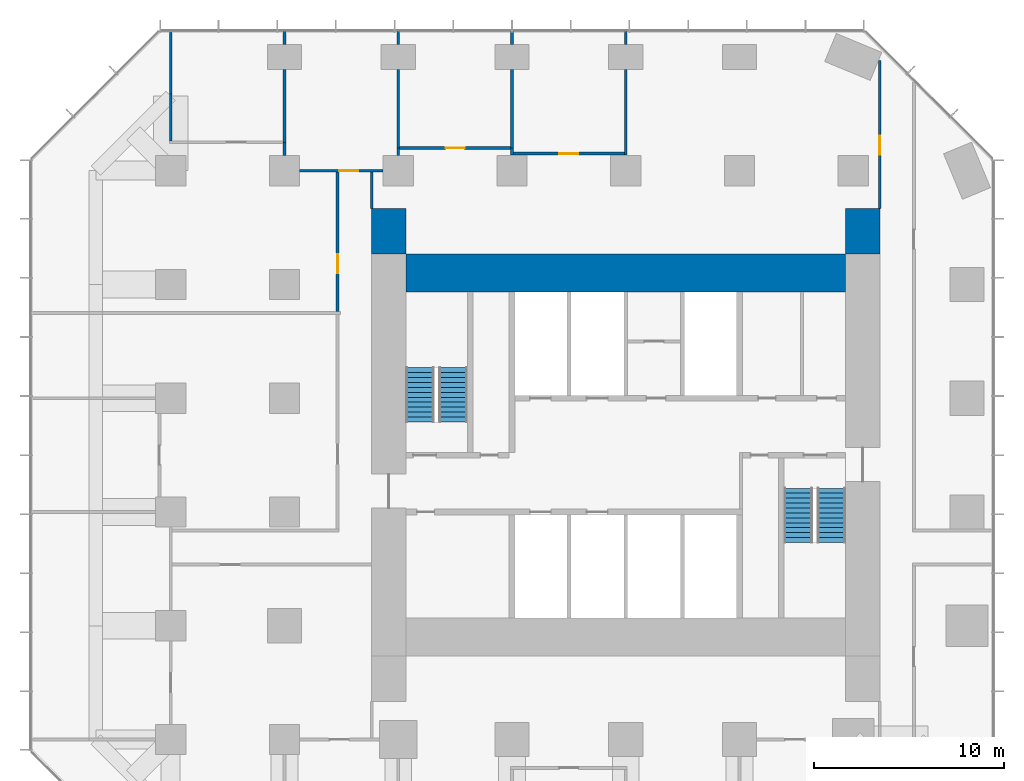
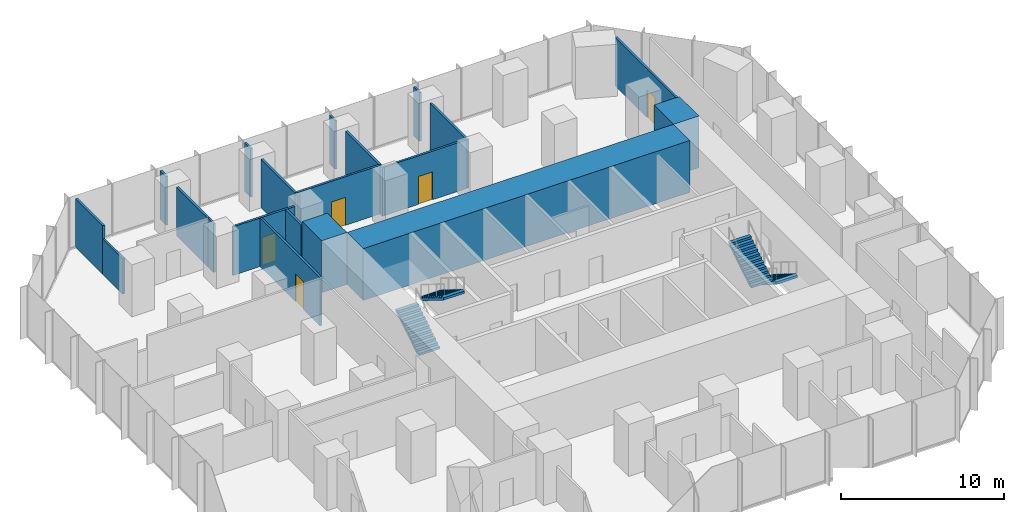
# One storey, part 10 of 11: 22 walls, 5 doors, 4 stair flights, 5 openings, 2 elements without a shape of their own.
"""IFC4 building model written with IfcOpenShell, lengths in metres."""

from ifc_helpers import new_model, si_unit, direction, frame, frame_2d, origin, place, context, subcontext, project, spatial, polyline, rectangle, outline, extrude, material, layer, layer_set, type_object, element, fill, aggregate, save


model = new_model("IFC4")

# Units and contexts
model_context = context("Model", 3, precision=1e-05, world=origin(), true_north=direction((0.0, 1.0)))
body_context = subcontext(model_context, "Body", "Model", "MODEL_VIEW")
ifc_project = project(units=[si_unit("LENGTHUNIT", "METRE"), si_unit("AREAUNIT", "SQUARE_METRE"), si_unit("VOLUMEUNIT", "CUBIC_METRE"), si_unit("PLANEANGLEUNIT", "RADIAN"), si_unit("MASSUNIT", "GRAM", prefix="KILO")], contexts=[model_context])

# Site, building, storey
site_placement = place(None, origin())
site = spatial("IfcSite", under=ifc_project, at=site_placement, CompositionType="ELEMENT")
building_placement = place(site_placement, origin())
building = spatial("IfcBuilding", under=site, at=building_placement, Name="Highveld Stack Headquarters", CompositionType="ELEMENT")
storey_placement = place(building_placement, frame((0.0, 0.0, 128.89990234375)))
storey = spatial("IfcBuildingStorey", under=building, at=storey_placement, Name="L31", CompositionType="ELEMENT", Elevation=128.89990234375)

# Walls
ifc_material_1 = material(Name="Concrete C60/75", Category="concrete")
ifc_layer_1 = layer(ifc_material_1, 2.0)
ifc_layer_set_1 = layer_set([ifc_layer_1], Name="Concrete C60/75")
wall_type_1 = type_object("IfcWallType", Name="CORE WALL 2000 C60/75", PredefinedType="SHEAR", material=ifc_layer_set_1)
wall_1_placement = place(storey_placement, frame((-5.60009765625, 12.60009765625, 0.0), z_axis=(0.0, 0.0, 1.0), x_axis=(1.0, 0.0, 0.0)))
element("IfcWall", 1, at=wall_1_placement, inside=storey, type_object=wall_type_1, Name="Core wall N L31", PredefinedType="SHEAR", context=body_context, shape_type="SweptSolid", body=[
    extrude(rectangle(XDim=23.2001953125, YDim=2.0, at=frame_2d((11.60009765625, 0.0))), origin(), (0.0, 0.0, 1.0), 3.900146484375),
])
ifc_material_2 = material(Name="Concrete C60/75", Category="concrete")
ifc_layer_2 = layer(ifc_material_2, 1.800048828125)
ifc_layer_set_2 = layer_set([ifc_layer_2], Name="Concrete C60/75")
wall_type_2 = type_object("IfcWallType", Name="CORE WING WALL 1800 C60/75", PredefinedType="SHEAR", material=ifc_layer_set_2)
for number, where, z_axis, x_axis, name in (
    (2, (-6.5, 13.60009765625, 0.0), (0.0, 0.0, 1.0), (0.0, 1.0, 0.0), "Core wing wall WN L31"),
    (3, (18.5, 13.60009765625, 0.0), (0.0, 0.0, 1.0), (0.0, 1.0, 0.0), "Core wing wall EN L31"),
):
    element("IfcWall", number, at=place(storey_placement, frame(where, z_axis=z_axis, x_axis=x_axis)), inside=storey, type_object=wall_type_2, Name=name, PredefinedType="SHEAR", context=body_context, shape_type="SweptSolid", body=[
        extrude(rectangle(XDim=2.39990234375, YDim=1.800048828125, at=frame_2d((1.199951171875, 0.0))), origin(), (0.0, 0.0, 1.0), 3.900146484375),
    ])

# Wall, opening, door
ifc_material_3 = material(Name="Gypsum plasterboard on steel studs", Category="steel")
ifc_layer_3 = layer(ifc_material_3, 0.14990234375)
ifc_layer_set_3 = layer_set([ifc_layer_3], Name="Gypsum plasterboard on steel studs")
wall_type_3 = type_object("IfcWallType", Name="PARTITION 150 PLASTERBOARD", PredefinedType="PARTITIONING", material=ifc_layer_set_3)
wall_2_placement = place(storey_placement, frame((-11.199951171875, 18.0, 0.0), z_axis=(0.0, 0.0, 1.0), x_axis=(1.0, 0.0, 0.0)))
wall_2 = element("IfcWall", 4, at=wall_2_placement, inside=storey, type_object=wall_type_3, Name="Partition Office L31", PredefinedType="PARTITIONING", context=body_context, shape_type="SweptSolid", body=[
    extrude(rectangle(XDim=4.39990234375, YDim=0.14990234375, at=frame_2d((2.199951171875, 0.0))), origin(), (0.0, 0.0, 1.0), 3.650146484375),
])
opening_1_placement = place(wall_2_placement, frame((2.10009765625, 0.0, 0.0)))
opening_1 = element("IfcOpeningElement", 5, at=opening_1_placement, cuts=wall_2, Name="Opening L31-18", PredefinedType="OPENING", context=body_context, shape_type="SweptSolid", body=[
    extrude(rectangle(XDim=1.0, YDim=2.10009765625, at=frame_2d((0.5, 1.050048828125))), frame((0.0, 0.0849609375, 0.0), z_axis=(0.0, -1.0, 0.0), x_axis=(1.0, 0.0, 0.0)), (0.0, 0.0, 1.0), 0.169921875),
])
ifc_material_4 = material(Name="Timber door, oiled ash", Category="wood")
door_type = type_object("IfcDoorType", Name="ROOM DOOR D6 1000x2100", OperationType="SINGLE_SWING_LEFT", PredefinedType="DOOR", material=ifc_material_4)
door_1_placement = place(opening_1_placement, origin())
door_1 = element("IfcDoor", 6, at=door_1_placement, inside=storey, type_object=door_type, Name="Office door 1 L31", OperationType="SINGLE_SWING_RIGHT", OverallHeight=2.10009765625, OverallWidth=1.0, PredefinedType="DOOR", context=body_context, shape_type="SweptSolid", body=[
    extrude(rectangle(XDim=1.0, YDim=2.10009765625, at=frame_2d((0.5, 1.050048828125))), frame((0.0, 0.02490234375, 0.0), z_axis=(0.0, -1.0, 0.0), x_axis=(1.0, 0.0, 0.0)), (0.0, 0.0, 1.0), 0.050048828125),
])
fill(opening_1, door_1)

wall_3_placement = place(storey_placement, frame((0.074951171875, 18.89990234375, 0.0), z_axis=(0.0, 0.0, 1.0), x_axis=(1.0, 0.0, 0.0)))
wall_3 = element("IfcWall", 7, at=wall_3_placement, inside=storey, type_object=wall_type_3, Name="Partition Interview room L31", PredefinedType="PARTITIONING", context=body_context, shape_type="SweptSolid", body=[
    extrude(rectangle(XDim=5.85009765625, YDim=0.14990234375, at=frame_2d((2.925048828125, 0.0))), origin(), (0.0, 0.0, 1.0), 3.650146484375),
])
opening_2_placement = place(wall_3_placement, frame((2.425048828125, 0.0, 0.0)))
opening_2 = element("IfcOpeningElement", 8, at=opening_2_placement, cuts=wall_3, Name="Opening L31-20", PredefinedType="OPENING", context=body_context, shape_type="SweptSolid", body=[
    extrude(rectangle(XDim=1.0, YDim=2.10009765625, at=frame_2d((0.5, 1.050048828125))), frame((0.0, 0.0849609375, 0.0), z_axis=(0.0, -1.0, 0.0), x_axis=(1.0, 0.0, 0.0)), (0.0, 0.0, 1.0), 0.169921875),
])
door_2_placement = place(opening_2_placement, origin())
door_2 = element("IfcDoor", 9, at=door_2_placement, inside=storey, type_object=door_type, Name="Interview room door 1 L31", OperationType="SINGLE_SWING_LEFT", OverallHeight=2.10009765625, OverallWidth=1.0, PredefinedType="DOOR", context=body_context, shape_type="SweptSolid", body=[
    extrude(rectangle(XDim=1.0, YDim=2.10009765625, at=frame_2d((0.5, 1.050048828125))), frame((0.0, 0.02490234375, 0.0), z_axis=(0.0, -1.0, 0.0), x_axis=(1.0, 0.0, 0.0)), (0.0, 0.0, 1.0), 0.050048828125),
])
fill(opening_2, door_2)

wall_4_placement = place(storey_placement, frame((-5.925048828125, 19.199951171875, 0.0), z_axis=(0.0, 0.0, 1.0), x_axis=(1.0, 0.0, 0.0)))
wall_4 = element("IfcWall", 10, at=wall_4_placement, inside=storey, type_object=wall_type_3, Name="Partition Tea kitchen L31", PredefinedType="PARTITIONING", context=body_context, shape_type="SweptSolid", body=[
    extrude(rectangle(XDim=5.85009765625, YDim=0.14990234375, at=frame_2d((2.925048828125, 0.0))), origin(), (0.0, 0.0, 1.0), 3.650146484375),
])
opening_3_placement = place(wall_4_placement, frame((2.425048828125, 0.0, 0.0)))
opening_3 = element("IfcOpeningElement", 11, at=opening_3_placement, cuts=wall_4, Name="Opening L31-19", PredefinedType="OPENING", context=body_context, shape_type="SweptSolid", body=[
    extrude(rectangle(XDim=1.0, YDim=2.10009765625, at=frame_2d((0.5, 1.050048828125))), frame((0.0, 0.0849609375, 0.0), z_axis=(0.0, -1.0, 0.0), x_axis=(1.0, 0.0, 0.0)), (0.0, 0.0, 1.0), 0.169921875),
])
door_3_placement = place(opening_3_placement, origin())
door_3 = element("IfcDoor", 12, at=door_3_placement, inside=storey, type_object=door_type, Name="Tea kitchen door 1 L31", OperationType="SINGLE_SWING_LEFT", OverallHeight=2.10009765625, OverallWidth=1.0, PredefinedType="DOOR", context=body_context, shape_type="SweptSolid", body=[
    extrude(rectangle(XDim=1.0, YDim=2.10009765625, at=frame_2d((0.5, 1.050048828125))), frame((0.0, 0.02490234375, 0.0), z_axis=(0.0, -1.0, 0.0), x_axis=(1.0, 0.0, 0.0)), (0.0, 0.0, 1.0), 0.050048828125),
])
fill(opening_3, door_3)

# Walls
wall_5_placement = place(storey_placement, frame((-18.0, 19.574951171875, 0.0), z_axis=(0.0, 0.0, 1.0), x_axis=(0.0, 1.0, 0.0)))
element("IfcWall", 13, at=wall_5_placement, inside=storey, type_object=wall_type_3, Name="Partition Quiet room L31", PredefinedType="PARTITIONING", context=body_context, shape_type="SweptSolid", body=[
    extrude(rectangle(XDim=2.469970703125, YDim=0.14990234375, at=frame_2d((1.23486328125, 0.0))), origin(), (0.0, 0.0, 1.0), 2.650146484375),
])
wall_6_placement = place(storey_placement, frame((-18.0, 22.044921875, 0.0), z_axis=(0.0, 0.0, 1.0), x_axis=(0.0, 1.0, 0.0)))
element("IfcWall", 14, at=wall_6_placement, inside=storey, type_object=wall_type_3, Name="Partition Quiet room L31", PredefinedType="PARTITIONING", context=body_context, shape_type="SweptSolid", body=[
    extrude(rectangle(XDim=3.35498046875, YDim=0.14990234375, at=frame_2d((1.677490234375, 0.0))), origin(), (0.0, 0.0, 1.0), 3.650146484375),
])
wall_7_placement = place(storey_placement, frame((-12.0, 18.800048828125, 0.0), z_axis=(0.0, 0.0, 1.0), x_axis=(0.0, 1.0, 0.0)))
element("IfcWall", 15, at=wall_7_placement, inside=storey, type_object=wall_type_3, Name="Partition Office L31", PredefinedType="PARTITIONING", context=body_context, shape_type="SweptSolid", body=[
    extrude(rectangle(XDim=0.699951171875, YDim=0.14990234375, at=frame_2d((0.35009765625, 0.0))), origin(), (0.0, 0.0, 1.0), 3.650146484375),
])
wall_8_placement = place(storey_placement, frame((-12.0, 19.5, 0.0), z_axis=(0.0, 0.0, 1.0), x_axis=(0.0, 1.0, 0.0)))
element("IfcWall", 16, at=wall_8_placement, inside=storey, type_object=wall_type_3, Name="Partition Office / Quiet room L31", PredefinedType="PARTITIONING", context=body_context, shape_type="SweptSolid", body=[
    extrude(rectangle(XDim=3.85009765625, YDim=0.14990234375, at=frame_2d((1.925048828125, 0.0))), origin(), (0.0, 0.0, 1.0), 3.650146484375),
])
wall_9_placement = place(storey_placement, frame((-12.0, 24.64990234375, 0.0), z_axis=(0.0, 0.0, 1.0), x_axis=(0.0, 1.0, 0.0)))
element("IfcWall", 17, at=wall_9_placement, inside=storey, type_object=wall_type_3, Name="Partition Office / Quiet room L31", PredefinedType="PARTITIONING", context=body_context, shape_type="SweptSolid", body=[
    extrude(rectangle(XDim=0.75, YDim=0.14990234375, at=frame_2d((0.375, 0.0))), origin(), (0.0, 0.0, 1.0), 3.650146484375),
])
wall_10_placement = place(storey_placement, frame((-6.0, 18.800048828125, 0.0), z_axis=(0.0, 0.0, 1.0), x_axis=(0.0, 1.0, 0.0)))
element("IfcWall", 18, at=wall_10_placement, inside=storey, type_object=wall_type_3, Name="Partition Office L31", PredefinedType="PARTITIONING", context=body_context, shape_type="SweptSolid", body=[
    extrude(rectangle(XDim=0.39990234375, YDim=0.14990234375, at=frame_2d((0.199951171875, 0.0))), origin(), (0.0, 0.0, 1.0), 3.650146484375),
])
wall_11_placement = place(storey_placement, frame((-6.0, 19.199951171875, 0.0), z_axis=(0.0, 0.0, 1.0), x_axis=(0.0, 1.0, 0.0)))
element("IfcWall", 19, at=wall_11_placement, inside=storey, type_object=wall_type_3, Name="Partition Office / Tea kitchen L31", PredefinedType="PARTITIONING", context=body_context, shape_type="SweptSolid", body=[
    extrude(rectangle(XDim=4.150146484375, YDim=0.14990234375, at=frame_2d((2.0751953125, 0.0))), origin(), (0.0, 0.0, 1.0), 3.650146484375),
])
wall_12_placement = place(storey_placement, frame((-6.0, 24.64990234375, 0.0), z_axis=(0.0, 0.0, 1.0), x_axis=(0.0, 1.0, 0.0)))
element("IfcWall", 20, at=wall_12_placement, inside=storey, type_object=wall_type_3, Name="Partition Office / Tea kitchen L31", PredefinedType="PARTITIONING", context=body_context, shape_type="SweptSolid", body=[
    extrude(rectangle(XDim=0.75, YDim=0.14990234375, at=frame_2d((0.375, 0.0))), origin(), (0.0, 0.0, 1.0), 3.650146484375),
])
wall_13_placement = place(storey_placement, frame((0.0, 18.824951171875, 0.0), z_axis=(0.0, 0.0, 1.0), x_axis=(0.0, 1.0, 0.0)))
element("IfcWall", 21, at=wall_13_placement, inside=storey, type_object=wall_type_3, Name="Partition Interview room L31", PredefinedType="PARTITIONING", context=body_context, shape_type="SweptSolid", body=[
    extrude(rectangle(XDim=0.375, YDim=0.14990234375, at=frame_2d((0.1875, 0.0))), origin(), (0.0, 0.0, 1.0), 3.650146484375),
])
wall_14_placement = place(storey_placement, frame((0.0, 19.199951171875, 0.0), z_axis=(0.0, 0.0, 1.0), x_axis=(0.0, 1.0, 0.0)))
element("IfcWall", 22, at=wall_14_placement, inside=storey, type_object=wall_type_3, Name="Partition Interview room / Tea kitchen L31", PredefinedType="PARTITIONING", context=body_context, shape_type="SweptSolid", body=[
    extrude(rectangle(XDim=4.150146484375, YDim=0.14990234375, at=frame_2d((2.0751953125, 0.0))), origin(), (0.0, 0.0, 1.0), 3.650146484375),
])
wall_15_placement = place(storey_placement, frame((0.0, 24.64990234375, 0.0), z_axis=(0.0, 0.0, 1.0), x_axis=(0.0, 1.0, 0.0)))
element("IfcWall", 23, at=wall_15_placement, inside=storey, type_object=wall_type_3, Name="Partition Interview room / Tea kitchen L31", PredefinedType="PARTITIONING", context=body_context, shape_type="SweptSolid", body=[
    extrude(rectangle(XDim=0.7001953125, YDim=0.14990234375, at=frame_2d((0.35009765625, 0.0))), origin(), (0.0, 0.0, 1.0), 3.650146484375),
])
wall_16_placement = place(storey_placement, frame((6.0, 18.824951171875, 0.0), z_axis=(0.0, 0.0, 1.0), x_axis=(0.0, 1.0, 0.0)))
element("IfcWall", 24, at=wall_16_placement, inside=storey, type_object=wall_type_3, Name="Partition Interview room L31", PredefinedType="PARTITIONING", context=body_context, shape_type="SweptSolid", body=[
    extrude(rectangle(XDim=4.525146484375, YDim=0.14990234375, at=frame_2d((2.2626953125, 0.0))), origin(), (0.0, 0.0, 1.0), 3.650146484375),
])
wall_17_placement = place(storey_placement, frame((6.0, 24.64990234375, 0.0), z_axis=(0.0, 0.0, 1.0), x_axis=(0.0, 1.0, 0.0)))
element("IfcWall", 25, at=wall_17_placement, inside=storey, type_object=wall_type_3, Name="Partition Interview room L31", PredefinedType="PARTITIONING", context=body_context, shape_type="SweptSolid", body=[
    extrude(rectangle(XDim=0.75, YDim=0.14990234375, at=frame_2d((0.375, 0.0))), origin(), (0.0, 0.0, 1.0), 3.650146484375),
])

# Wall, opening, door
wall_18_placement = place(storey_placement, frame((-9.199951171875, 10.574951171875, 0.0), z_axis=(0.0, 0.0, 1.0), x_axis=(0.0, 1.0, 0.0)))
wall_18 = element("IfcWall", 26, at=wall_18_placement, inside=storey, type_object=wall_type_3, Name="Partition office neighbourhood L31", PredefinedType="PARTITIONING", context=body_context, shape_type="SweptSolid", body=[
    extrude(rectangle(XDim=7.35009765625, YDim=0.14990234375, at=frame_2d((3.675048828125, 0.0))), origin(), (0.0, 0.0, 1.0), 3.650146484375),
])
opening_4_placement = place(wall_18_placement, frame((2.02392578125, 0.0, 0.0)))
opening_4 = element("IfcOpeningElement", 27, at=opening_4_placement, cuts=wall_18, Name="Opening L31-25", PredefinedType="OPENING", context=body_context, shape_type="SweptSolid", body=[
    extrude(rectangle(XDim=1.0, YDim=2.10009765625, at=frame_2d((0.5, 1.050048828125))), frame((0.0, 0.0849609375, 0.0), z_axis=(0.0, -1.0, 0.0), x_axis=(1.0, 0.0, 0.0)), (0.0, 0.0, 1.0), 0.169921875),
])
door_4_placement = place(opening_4_placement, origin())
door_4 = element("IfcDoor", 28, at=door_4_placement, inside=storey, type_object=door_type, Name="Office neighbourhood door L31", OperationType="SINGLE_SWING_LEFT", OverallHeight=2.10009765625, OverallWidth=1.0, PredefinedType="DOOR", context=body_context, shape_type="SweptSolid", body=[
    extrude(rectangle(XDim=1.0, YDim=2.10009765625, at=frame_2d((0.5, 1.050048828125))), frame((0.0, 0.02490234375, 0.0), z_axis=(0.0, -1.0, 0.0), x_axis=(1.0, 0.0, 0.0)), (0.0, 0.0, 1.0), 0.050048828125),
])
fill(opening_4, door_4)

# Wall
wall_19_placement = place(storey_placement, frame((-7.39990234375, 16.0, 0.0), z_axis=(0.0, 0.0, 1.0), x_axis=(0.0, 1.0, 0.0)))
element("IfcWall", 29, at=wall_19_placement, inside=storey, type_object=wall_type_3, Name="Partition office neighbourhood L31", PredefinedType="PARTITIONING", context=body_context, shape_type="SweptSolid", body=[
    extrude(rectangle(XDim=1.925048828125, YDim=0.14990234375, at=frame_2d((0.96240234375, 0.0))), origin(), (0.0, 0.0, 1.0), 3.650146484375),
])

# Wall, opening, door
wall_20_placement = place(storey_placement, frame((19.39990234375, 16.0, 0.0), z_axis=(0.0, 0.0, 1.0), x_axis=(0.0, 1.0, 0.0)))
wall_20 = element("IfcWall", 30, at=wall_20_placement, inside=storey, type_object=wall_type_3, Name="Partition office neighbourhood L31", PredefinedType="PARTITIONING", context=body_context, shape_type="SweptSolid", body=[
    extrude(rectangle(XDim=7.8017578125, YDim=0.14990234375, at=frame_2d((3.90087890625, 0.0))), origin(), (0.0, 0.0, 1.0), 3.650146484375),
])
opening_5_placement = place(wall_20_placement, frame((2.85009765625, 0.0, 0.0)))
opening_5 = element("IfcOpeningElement", 31, at=opening_5_placement, cuts=wall_20, Name="Opening L31-27", PredefinedType="OPENING", context=body_context, shape_type="SweptSolid", body=[
    extrude(rectangle(XDim=1.0, YDim=2.10009765625, at=frame_2d((0.5, 1.050048828125))), frame((0.0, 0.0849609375, 0.0), z_axis=(0.0, -1.0, 0.0), x_axis=(1.0, 0.0, 0.0)), (0.0, 0.0, 1.0), 0.169921875),
])
door_5_placement = place(opening_5_placement, origin())
door_5 = element("IfcDoor", 32, at=door_5_placement, inside=storey, type_object=door_type, Name="Office neighbourhood door L31", OperationType="SINGLE_SWING_LEFT", OverallHeight=2.10009765625, OverallWidth=1.0, PredefinedType="DOOR", context=body_context, shape_type="SweptSolid", body=[
    extrude(rectangle(XDim=1.0, YDim=2.10009765625, at=frame_2d((0.5, 1.050048828125))), frame((0.0, 0.02490234375, 0.0), z_axis=(0.0, -1.0, 0.0), x_axis=(1.0, 0.0, 0.0)), (0.0, 0.0, 1.0), 0.050048828125),
])
fill(opening_5, door_5)

# Stair, stair flights
ifc_material_5 = material(Name="Concrete C40/50, precast", Category="concrete")
stair_type_1 = type_object("IfcStairType", Name="STAIR S1 HALF TURN 1500", PredefinedType="HALF_TURN_STAIR", material=ifc_material_5)
stair_1_placement = place(storey_placement, origin())
stair_1 = element("IfcStair", 33, at=stair_1_placement, inside=storey, type_object=stair_type_1, Name="Stair S1 L31", PredefinedType="HALF_TURN_STAIR")
ifc_material_6 = material(Name="Concrete C40/50, precast", Category="concrete")
stair_flight_type = type_object("IfcStairFlightType", Name="STAIR FLIGHT 1500 PRECAST", PredefinedType="STRAIGHT", material=ifc_material_6)
stair_flight_1_placement = place(storey_placement, frame((-4.85009765625, 4.75, 0.0), z_axis=(0.0, 0.0, 1.0), x_axis=(0.0, 1.0, 0.0)))
stair_flight_1 = element("IfcStairFlight", 34, at=stair_flight_1_placement, type_object=stair_flight_type, Name="S1 flight 1", NumberOfRisers=12, NumberOfTreads=11, PredefinedType="STRAIGHT", RiserHeight=0.1625, TreadLength=0.26, context=body_context, shape_type="SweptSolid", body=[
    extrude(outline(polyline([(0.0, 0.0), (0.0, 0.16259765625), (0.260009765625, 0.16259765625), (0.260009765625, 0.324951171875), (0.52001953125, 0.324951171875), (0.52001953125, 0.487548828125), (0.780029296875, 0.487548828125), (0.780029296875, 0.64990234375), (1.0400390625, 0.64990234375), (1.0400390625, 0.8125), (1.300048828125, 0.8125), (1.300048828125, 0.97509765625), (1.56005859375, 0.97509765625), (1.56005859375, 1.137451171875), (1.820068359375, 1.137451171875), (1.820068359375, 1.300048828125), (2.080078125, 1.300048828125), (2.080078125, 1.46240234375), (2.340087890625, 1.46240234375), (2.340087890625, 1.625), (2.60009765625, 1.625), (2.60009765625, 1.78759765625), (2.860107421875, 1.78759765625), (2.860107421875, 1.949951171875), (2.860107421875, 1.61083984375), (0.28271484375, 0.0), (0.0, 0.0)])), frame((0.0, 0.75, 0.0), z_axis=(0.0, -1.0, 0.0), x_axis=(1.0, 0.0, 0.0)), (0.0, 0.0, 1.0), 1.5),
])
stair_flight_2_placement = place(storey_placement, frame((-3.10009765625, 7.610107421875, 1.9501953125), z_axis=(0.0, 0.0, 1.0), x_axis=(0.0, -1.0, 0.0)))
stair_flight_2 = element("IfcStairFlight", 35, at=stair_flight_2_placement, type_object=stair_flight_type, Name="S1 flight 2", NumberOfRisers=12, NumberOfTreads=11, PredefinedType="STRAIGHT", RiserHeight=0.1625, TreadLength=0.26, context=body_context, shape_type="SweptSolid", body=[
    extrude(outline(polyline([(0.0, 0.0), (0.0, 0.16259765625), (0.260009765625, 0.16259765625), (0.260009765625, 0.324951171875), (0.52001953125, 0.324951171875), (0.52001953125, 0.487548828125), (0.780029296875, 0.487548828125), (0.780029296875, 0.64990234375), (1.0400390625, 0.64990234375), (1.0400390625, 0.8125), (1.300048828125, 0.8125), (1.300048828125, 0.97509765625), (1.56005859375, 0.97509765625), (1.56005859375, 1.137451171875), (1.820068359375, 1.137451171875), (1.820068359375, 1.300048828125), (2.080078125, 1.300048828125), (2.080078125, 1.46240234375), (2.340087890625, 1.46240234375), (2.340087890625, 1.625), (2.60009765625, 1.625), (2.60009765625, 1.78759765625), (2.860107421875, 1.78759765625), (2.860107421875, 1.949951171875), (2.860107421875, 1.61083984375), (0.28271484375, 0.0), (0.0, 0.0)])), frame((0.0, 0.75, 0.0), z_axis=(0.0, -1.0, 0.0), x_axis=(1.0, 0.0, 0.0)), (0.0, 0.0, 1.0), 1.5),
])
aggregate(stair_1, [stair_flight_1, stair_flight_2])

ifc_material_7 = material(Name="Concrete C40/50, precast", Category="concrete")
stair_type_2 = type_object("IfcStairType", Name="STAIR S2 HALF TURN 1500", PredefinedType="HALF_TURN_STAIR", material=ifc_material_7)
stair_2_placement = place(storey_placement, origin())
stair_2 = element("IfcStair", 36, at=stair_2_placement, inside=storey, type_object=stair_type_2, Name="Stair S2 L31", PredefinedType="HALF_TURN_STAIR")
stair_flight_3_placement = place(storey_placement, frame((16.85009765625, 1.25, 0.0), z_axis=(0.0, 0.0, 1.0), x_axis=(0.0, -1.0, 0.0)))
stair_flight_3 = element("IfcStairFlight", 37, at=stair_flight_3_placement, type_object=stair_flight_type, Name="S2 flight 1", NumberOfRisers=12, NumberOfTreads=11, PredefinedType="STRAIGHT", RiserHeight=0.1625, TreadLength=0.26, context=body_context, shape_type="SweptSolid", body=[
    extrude(outline(polyline([(0.0, 0.0), (0.0, 0.16259765625), (0.260009765625, 0.16259765625), (0.260009765625, 0.324951171875), (0.52001953125, 0.324951171875), (0.52001953125, 0.487548828125), (0.780029296875, 0.487548828125), (0.780029296875, 0.64990234375), (1.0400390625, 0.64990234375), (1.0400390625, 0.8125), (1.300048828125, 0.8125), (1.300048828125, 0.97509765625), (1.56005859375, 0.97509765625), (1.56005859375, 1.137451171875), (1.820068359375, 1.137451171875), (1.820068359375, 1.300048828125), (2.080078125, 1.300048828125), (2.080078125, 1.46240234375), (2.340087890625, 1.46240234375), (2.340087890625, 1.625), (2.60009765625, 1.625), (2.60009765625, 1.78759765625), (2.860107421875, 1.78759765625), (2.860107421875, 1.949951171875), (2.860107421875, 1.61083984375), (0.28271484375, 0.0), (0.0, 0.0)])), frame((0.0, 0.75, 0.0), z_axis=(0.0, -1.0, 0.0), x_axis=(1.0, 0.0, 0.0)), (0.0, 0.0, 1.0), 1.5),
])
stair_flight_4_placement = place(storey_placement, frame((15.10009765625, -1.610107421875, 1.9501953125), z_axis=(0.0, 0.0, 1.0), x_axis=(0.0, 1.0, 0.0)))
stair_flight_4 = element("IfcStairFlight", 38, at=stair_flight_4_placement, type_object=stair_flight_type, Name="S2 flight 2", NumberOfRisers=12, NumberOfTreads=11, PredefinedType="STRAIGHT", RiserHeight=0.1625, TreadLength=0.26, context=body_context, shape_type="SweptSolid", body=[
    extrude(outline(polyline([(0.0, 0.0), (0.0, 0.16259765625), (0.260009765625, 0.16259765625), (0.260009765625, 0.324951171875), (0.52001953125, 0.324951171875), (0.52001953125, 0.487548828125), (0.780029296875, 0.487548828125), (0.780029296875, 0.64990234375), (1.0400390625, 0.64990234375), (1.0400390625, 0.8125), (1.300048828125, 0.8125), (1.300048828125, 0.97509765625), (1.56005859375, 0.97509765625), (1.56005859375, 1.137451171875), (1.820068359375, 1.137451171875), (1.820068359375, 1.300048828125), (2.080078125, 1.300048828125), (2.080078125, 1.46240234375), (2.340087890625, 1.46240234375), (2.340087890625, 1.625), (2.60009765625, 1.625), (2.60009765625, 1.78759765625), (2.860107421875, 1.78759765625), (2.860107421875, 1.949951171875), (2.860107421875, 1.61083984375), (0.28271484375, 0.0), (0.0, 0.0)])), frame((0.0, 0.75, 0.0), z_axis=(0.0, -1.0, 0.0), x_axis=(1.0, 0.0, 0.0)), (0.0, 0.0, 1.0), 1.5),
])
aggregate(stair_2, [stair_flight_3, stair_flight_4])

save(model, "model.ifc")
